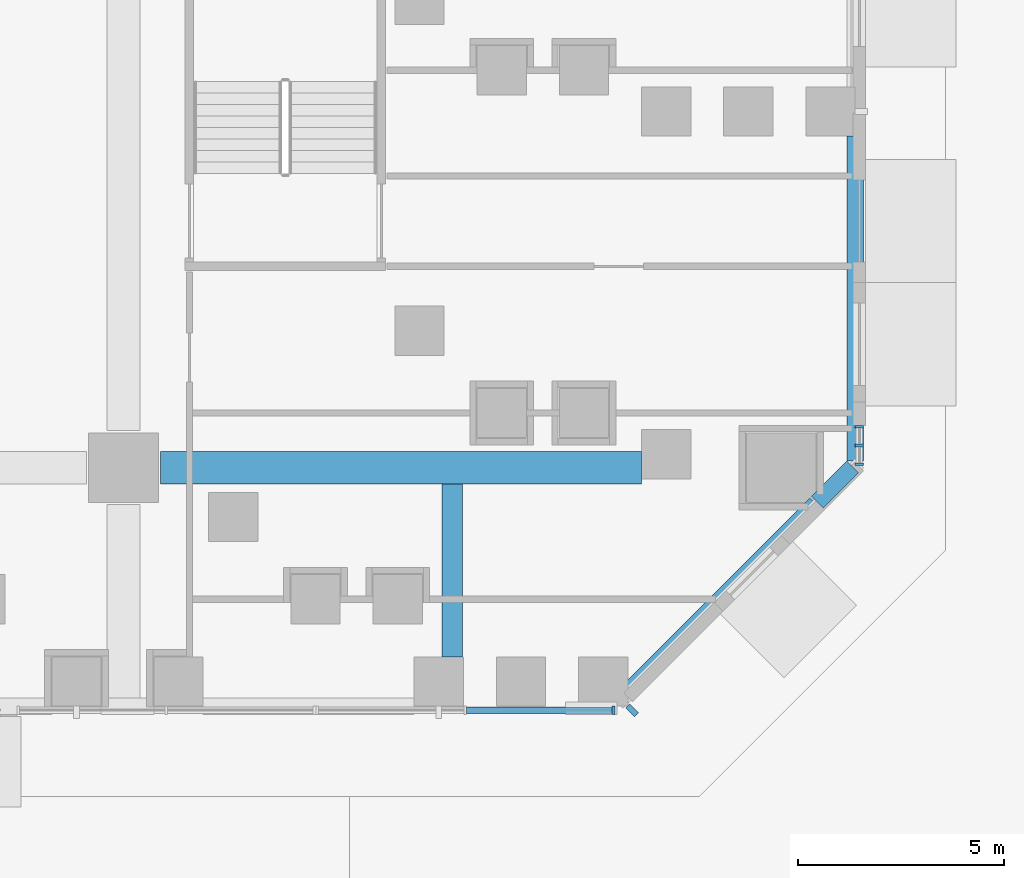
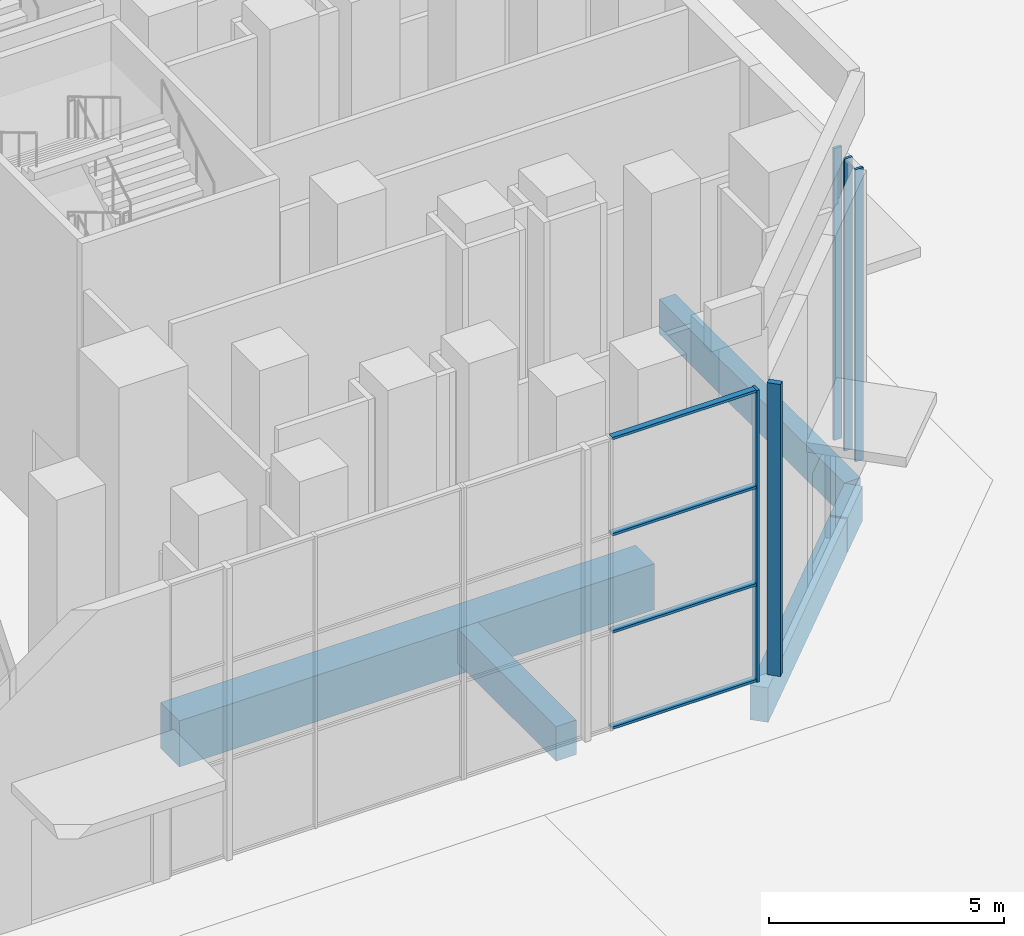
# One storey, part 5 of 51: 9 members, 5 beams, 2 elements without a shape of their own.
"""IFC4 building model written with IfcOpenShell, lengths in metres."""

from ifc_helpers import new_model, si_unit, direction, frame, origin, origin_2d, place, context, subcontext, project, spatial, rectangle, extrude, material, material_profile, profile_set, type_object, element, aggregate, save


model = new_model("IFC4")

# Units and contexts
model_context = context("Model", 3, precision=1e-05, world=origin(), true_north=direction((0.0, 1.0)))
body_context = subcontext(model_context, "Body", "Model", "MODEL_VIEW")
ifc_project = project(units=[si_unit("LENGTHUNIT", "METRE"), si_unit("AREAUNIT", "SQUARE_METRE"), si_unit("VOLUMEUNIT", "CUBIC_METRE"), si_unit("PLANEANGLEUNIT", "RADIAN"), si_unit("MASSUNIT", "GRAM", prefix="KILO")], contexts=[model_context])

# Site, building, storey
site_placement = place(None, origin())
site = spatial("IfcSite", under=ifc_project, at=site_placement, CompositionType="ELEMENT")
building_placement = place(site_placement, origin())
building = spatial("IfcBuilding", under=site, at=building_placement, Name="Calabash Gate Tower", CompositionType="ELEMENT")
storey_placement = place(building_placement, origin())
storey = spatial("IfcBuildingStorey", under=building, at=storey_placement, Name="L00", CompositionType="ELEMENT", Elevation=0.0)

# Beams
ifc_material_1 = material(Name="Concrete C50/60", Category="concrete")
ifc_material_profile_1 = material_profile(ifc_material_1, rectangle(XDim=0.39990234375, YDim=0.89990234375, at=origin_2d()))
ifc_profile_set_1 = profile_set([ifc_material_profile_1], Name="Concrete C50/60")
beam_type_1 = type_object("IfcBeamType", Name="Edge beam RC 400x900 Concrete C50/60", PredefinedType="BEAM", material=ifc_profile_set_1)
beam_1_placement = place(storey_placement, frame((49.800048828125, -31.93310546875, -1.0), z_axis=(0.0, -1.0, 0.0), x_axis=(1.0, 0.0, 0.0)))
element("IfcBeam", 1, at=beam_1_placement, inside=storey, type_object=beam_type_1, Name="Edge beam L00 32", PredefinedType="BEAM", context=body_context, shape_type="SweptSolid", body=[
    extrude(rectangle(XDim=0.39990234375, YDim=0.89990234375, at=origin_2d()), origin(), (0.0, 0.0, 1.0), 7.89892578125),
])
beam_2_placement = place(storey_placement, frame((49.739990234375, -39.97705078125, -1.0), z_axis=(-0.707106781187, -0.707106781187, 0.0), x_axis=(0.707106781187, -0.707106781187, 0.0)))
element("IfcBeam", 2, at=beam_2_placement, inside=storey, type_object=beam_type_1, Name="Edge beam L00 33", PredefinedType="BEAM", context=body_context, shape_type="SweptSolid", body=[
    extrude(rectangle(XDim=0.39990234375, YDim=0.89990234375, at=origin_2d()), origin(), (0.0, 0.0, 1.0), 1.220458984375),
])
beam_3_placement = place(storey_placement, frame((48.840087890625, -40.876953125, -1.0), z_axis=(-0.707106781187, -0.707106781187, 0.0), x_axis=(0.707106781187, -0.707106781187, 0.0)))
element("IfcBeam", 3, at=beam_3_placement, inside=storey, type_object=beam_type_1, Name="Edge beam L00 34", PredefinedType="BEAM", context=body_context, shape_type="SweptSolid", body=[
    extrude(rectangle(XDim=0.39990234375, YDim=0.89990234375, at=origin_2d()), origin(), (0.0, 0.0, 1.0), 6.496826171875),
])
ifc_material_2 = material(Name="Concrete C50/60", Category="concrete")
ifc_material_profile_2 = material_profile(ifc_material_2, rectangle(XDim=0.5, YDim=0.89990234375, at=origin_2d()))
ifc_profile_set_2 = profile_set([ifc_material_profile_2], Name="Concrete C50/60")
beam_type_2 = type_object("IfcBeamType", Name="Floor beam RC 500x900 Concrete C50/60", PredefinedType="BEAM", material=ifc_profile_set_2)
beam_4_placement = place(storey_placement, frame((40.0, -44.60009765625, -1.0), z_axis=(0.0, 1.0, 0.0), x_axis=(-1.0, 0.0, 0.0)))
element("IfcBeam", 4, at=beam_4_placement, inside=storey, type_object=beam_type_2, Name="Floor beam L00 22", PredefinedType="BEAM", context=body_context, shape_type="SweptSolid", body=[
    extrude(rectangle(XDim=0.5, YDim=0.89990234375, at=origin_2d()), origin(), (0.0, 0.0, 1.0), 4.2001953125),
])
ifc_material_3 = material(Name="Concrete C50/60", Category="concrete")
ifc_material_profile_3 = material_profile(ifc_material_3, rectangle(XDim=0.800048828125, YDim=1.199951171875, at=origin_2d()))
ifc_profile_set_3 = profile_set([ifc_material_profile_3], Name="Concrete C50/60")
beam_type_3 = type_object("IfcBeamType", Name="Grid girder RC 800x1200 Concrete C50/60", PredefinedType="BEAM", material=ifc_profile_set_3)
beam_5_placement = place(storey_placement, frame((32.89990234375, -40.0, -1.14990234375), z_axis=(1.0, 0.0, 0.0), x_axis=(0.0, 1.0, 0.0)))
element("IfcBeam", 5, at=beam_5_placement, inside=storey, type_object=beam_type_3, Name="Grid girder L00 34", PredefinedType="BEAM", context=body_context, shape_type="SweptSolid", body=[
    extrude(rectangle(XDim=0.800048828125, YDim=1.199951171875, at=origin_2d()), origin(), (0.0, 0.0, 1.0), 11.7001953125),
])

# Curtain wall, member
ifc_material_4 = material(Name="Anodised aluminium frame, bronze finish, clear laminated impact-rated glazing", Category="aluminium")
curtain_wall_type = type_object("IfcCurtainWallType", Name="Curtain wall CWF podium shopfront", PredefinedType="NOTDEFINED", material=ifc_material_4)
curtain_wall_1_placement = place(storey_placement, origin())
curtain_wall_1 = element("IfcCurtainWall", 6, at=curtain_wall_1_placement, inside=storey, type_object=curtain_wall_type, Name="Curtain wall CWF L00 0.1.1", PredefinedType="NOTDEFINED")
ifc_material_5 = material(Name="Anodised aluminium frame, bronze finish", Category="aluminium")
ifc_material_profile_4 = material_profile(ifc_material_5, rectangle(XDim=0.199951171875, YDim=0.06494140625, at=origin_2d()))
ifc_profile_set_4 = profile_set([ifc_material_profile_4], Name="Anodised aluminium frame, bronze finish")
member_type_1 = type_object("IfcMemberType", Name="Mullion CWF 65x200", PredefinedType="MULLION", material=ifc_profile_set_4)
member_1_placement = place(storey_placement, frame((43.91748046875, -45.89990234375, 0.0), z_axis=(0.0, 0.0, 1.0), x_axis=(0.0, 1.0, 0.0)))
member_1 = element("IfcMember", 7, at=member_1_placement, type_object=member_type_1, Name="CWF mullion 3", PredefinedType="MULLION", context=body_context, shape_type="SweptSolid", body=[
    extrude(rectangle(XDim=0.199951171875, YDim=0.06494140625, at=origin_2d()), origin(), (0.0, 0.0, 1.0), 7.60009765625),
])

# Curtain wall, members
curtain_wall_2_placement = place(storey_placement, origin())
curtain_wall_2 = element("IfcCurtainWall", 8, at=curtain_wall_2_placement, inside=storey, type_object=curtain_wall_type, Name="Curtain wall CWF L00 2.0.0", PredefinedType="NOTDEFINED")
member_2_placement = place(storey_placement, frame((49.89990234375, -39.91748046875, 0.0), z_axis=(0.0, 0.0, 1.0), x_axis=(-1.0, 0.0, 0.0)))
member_2 = element("IfcMember", 9, at=member_2_placement, type_object=member_type_1, Name="CWF mullion 1", PredefinedType="MULLION", context=body_context, shape_type="SweptSolid", body=[
    extrude(rectangle(XDim=0.199951171875, YDim=0.06494140625, at=origin_2d()), origin(), (0.0, 0.0, 1.0), 7.60009765625),
])
member_3_placement = place(storey_placement, frame((49.89990234375, -39.4599609375, 0.0), z_axis=(0.0, 0.0, 1.0), x_axis=(-1.0, 0.0, 0.0)))
member_3 = element("IfcMember", 10, at=member_3_placement, type_object=member_type_1, Name="CWF mullion 2", PredefinedType="MULLION", context=body_context, shape_type="SweptSolid", body=[
    extrude(rectangle(XDim=0.199951171875, YDim=0.06494140625, at=origin_2d()), origin(), (0.0, 0.0, 1.0), 7.60009765625),
])
member_4_placement = place(storey_placement, frame((49.89990234375, -39.00244140625, 0.0), z_axis=(0.0, 0.0, 1.0), x_axis=(-1.0, 0.0, 0.0)))
member_4 = element("IfcMember", 11, at=member_4_placement, type_object=member_type_1, Name="CWF mullion 3", PredefinedType="MULLION", context=body_context, shape_type="SweptSolid", body=[
    extrude(rectangle(XDim=0.199951171875, YDim=0.06494140625, at=origin_2d()), origin(), (0.0, 0.0, 1.0), 7.60009765625),
])
aggregate(curtain_wall_2, [member_2, member_3, member_4])

# Member
ifc_material_6 = material(Name="Terracotta brick masonry, baguette fin", Category="masonry")
ifc_material_profile_5 = material_profile(ifc_material_6, rectangle(XDim=0.139892578125, YDim=0.300048828125, at=origin_2d()))
ifc_profile_set_5 = profile_set([ifc_material_profile_5], Name="Terracotta brick masonry, baguette fin")
member_type_2 = type_object("IfcMemberType", Name="Terracotta baguette 140x300", PredefinedType="USERDEFINED", material=ifc_profile_set_5)
member_5_placement = place(storey_placement, frame((44.375, -45.906005859375, 0.0), z_axis=(0.0, 0.0, 1.0), x_axis=(0.707106781187, 0.707106781187, 0.0)))
element("IfcMember", 12, at=member_5_placement, inside=storey, type_object=member_type_2, Name="BAGUETTE L00 12", ObjectType="BAGUETTE", PredefinedType="USERDEFINED", context=body_context, shape_type="SweptSolid", body=[
    extrude(rectangle(XDim=0.139892578125, YDim=0.300048828125, at=origin_2d()), origin(), (0.0, 0.0, 1.0), 7.60009765625),
])

ifc_material_7 = material(Name="Anodised aluminium frame, bronze finish", Category="aluminium")
ifc_material_profile_6 = material_profile(ifc_material_7, rectangle(XDim=0.14990234375, YDim=0.06494140625, at=origin_2d()))
ifc_profile_set_6 = profile_set([ifc_material_profile_6], Name="Anodised aluminium frame, bronze finish")
member_type_3 = type_object("IfcMemberType", Name="Transom CWF 65x150", PredefinedType="USERDEFINED", material=ifc_profile_set_6)
member_6_placement = place(storey_placement, frame((40.345947265625, -45.89990234375, 0.032470703125), z_axis=(1.0, 0.0, 0.0), x_axis=(0.0, 1.0, 0.0)))
member_6 = element("IfcMember", 13, at=member_6_placement, type_object=member_type_3, Name="CWF transom 2.1", ObjectType="TRANSOM", PredefinedType="USERDEFINED", context=body_context, shape_type="SweptSolid", body=[
    extrude(rectangle(XDim=0.14990234375, YDim=0.06494140625, at=origin_2d()), origin(), (0.0, 0.0, 1.0), 3.5390625),
])

member_7_placement = place(storey_placement, frame((40.345947265625, -45.89990234375, 2.533447265625), z_axis=(1.0, 0.0, 0.0), x_axis=(0.0, 1.0, 0.0)))
member_7 = element("IfcMember", 14, at=member_7_placement, type_object=member_type_3, Name="CWF transom 2.2", ObjectType="TRANSOM", PredefinedType="USERDEFINED", context=body_context, shape_type="SweptSolid", body=[
    extrude(rectangle(XDim=0.14990234375, YDim=0.06494140625, at=origin_2d()), origin(), (0.0, 0.0, 1.0), 3.5390625),
])

member_8_placement = place(storey_placement, frame((40.345947265625, -45.89990234375, 5.066650390625), z_axis=(1.0, 0.0, 0.0), x_axis=(0.0, 1.0, 0.0)))
member_8 = element("IfcMember", 15, at=member_8_placement, type_object=member_type_3, Name="CWF transom 2.3", ObjectType="TRANSOM", PredefinedType="USERDEFINED", context=body_context, shape_type="SweptSolid", body=[
    extrude(rectangle(XDim=0.14990234375, YDim=0.06494140625, at=origin_2d()), origin(), (0.0, 0.0, 1.0), 3.5390625),
])

member_9_placement = place(storey_placement, frame((40.345947265625, -45.89990234375, 7.5673828125), z_axis=(1.0, 0.0, 0.0), x_axis=(0.0, 1.0, 0.0)))
member_9 = element("IfcMember", 16, at=member_9_placement, type_object=member_type_3, Name="CWF transom 2.4", ObjectType="TRANSOM", PredefinedType="USERDEFINED", context=body_context, shape_type="SweptSolid", body=[
    extrude(rectangle(XDim=0.14990234375, YDim=0.06494140625, at=origin_2d()), origin(), (0.0, 0.0, 1.0), 3.5390625),
])

aggregate(curtain_wall_1, [member_1, member_6, member_7, member_8, member_9])

save(model, "model.ifc")
